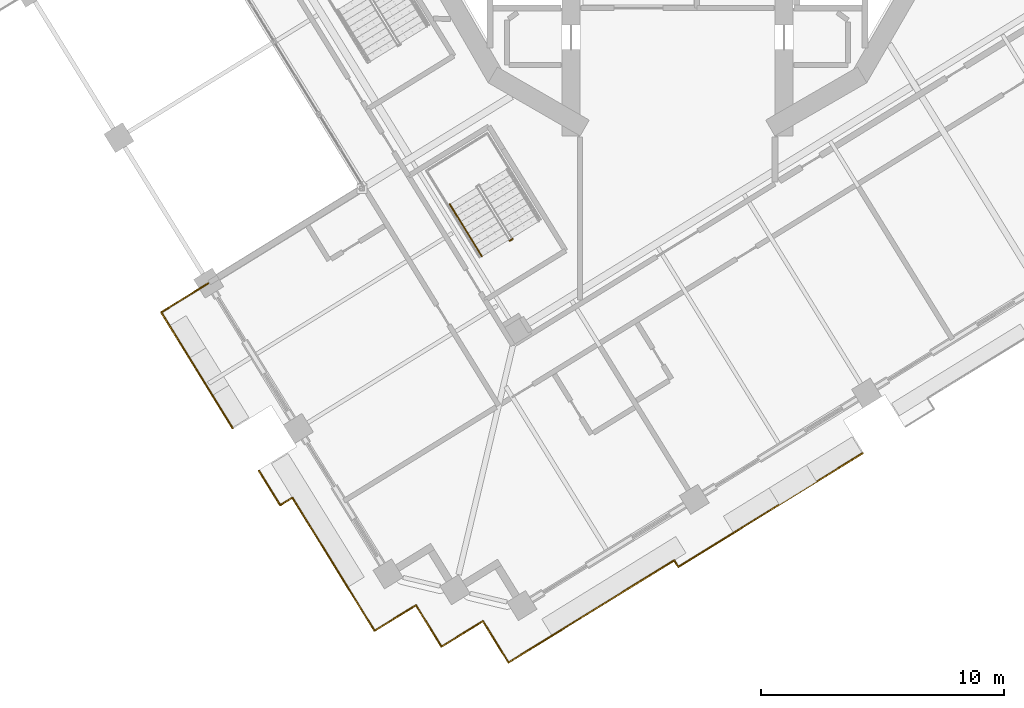
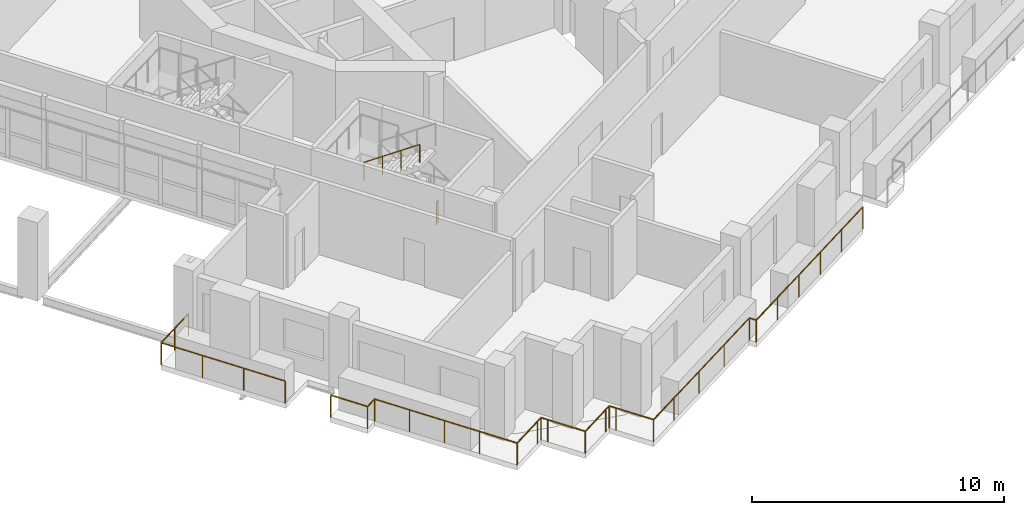
# One storey, part 13 of 20: 5 railings.
"""IFC4 building model written with IfcOpenShell, lengths in metres."""

from ifc_helpers import new_model, si_unit, direction, frame, origin, origin_2d, place, context, subcontext, project, spatial, circle, extrude, material, type_object, element, save


model = new_model("IFC4")

# Units and contexts
model_context = context("Model", 3, precision=1e-05, world=origin(), true_north=direction((0.0, 1.0)))
body_context = subcontext(model_context, "Body", "Model", "MODEL_VIEW")
ifc_project = project(units=[si_unit("LENGTHUNIT", "METRE"), si_unit("AREAUNIT", "SQUARE_METRE"), si_unit("VOLUMEUNIT", "CUBIC_METRE"), si_unit("PLANEANGLEUNIT", "RADIAN"), si_unit("MASSUNIT", "GRAM", prefix="KILO")], contexts=[model_context])

# Site, building, storey
site_placement = place(None, origin())
site = spatial("IfcSite", under=ifc_project, at=site_placement, CompositionType="ELEMENT")
building_placement = place(site_placement, origin())
building = spatial("IfcBuilding", under=site, at=building_placement, Name="Cantera Rosa Tower", CompositionType="ELEMENT")
storey_placement = place(building_placement, frame((0.0, 0.0, 155.199951171875)))
storey = spatial("IfcBuildingStorey", under=building, at=storey_placement, Name="L33", CompositionType="ELEMENT", Elevation=155.199951171875)

# Railings
ifc_material_1 = material(Name="Stainless steel and laminated glass", Category="steel")
railing_type_1 = type_object("IfcRailingType", Name="GUARD 1100", PredefinedType="BALUSTRADE", material=ifc_material_1)
railing_1_placement = place(storey_placement, frame((-12.44873046875, -30.2958984375, 0.0)))
element("IfcRailing", 1, at=railing_1_placement, inside=storey, type_object=railing_type_1, Name="GUARD L33-1", PredefinedType="BALUSTRADE", context=body_context, shape_type="SweptSolid", body=[
    extrude(circle(Radius=0.030029296875, at=origin_2d()), frame((0.0, 0.0, 1.070068359375), z_axis=(-0.524994468487, 0.851105638601, 0.0), x_axis=(-0.851105638601, -0.524994468487, 0.0)), (0.0, 0.0, 1.0), 1.7001953125),
    extrude(circle(Radius=0.030029296875, at=origin_2d()), frame((-0.892578125, 1.447021484375, 1.070068359375), z_axis=(-0.525004673435, 0.851099343715, 0.0), x_axis=(-0.851099343715, -0.525004673435, 0.0)), (0.0, 0.0, 1.0), 4.72802734375),
    extrude(circle(Radius=0.030029296875, at=origin_2d()), frame((-3.374755859375, 5.470947265625, 1.070068359375), z_axis=(-0.851204663561, -0.524833898231, 0.0), x_axis=(0.524833898231, -0.851204663561, 0.0)), (0.0, 0.0, 1.0), 0.591796875),
    extrude(circle(Radius=0.030029296875, at=origin_2d()), frame((-3.87841796875, 5.160400390625, 1.070068359375), z_axis=(-0.525064312401, 0.85106255225, 0.0), x_axis=(-0.85106255225, -0.525064312401, 0.0)), (0.0, 0.0, 1.0), 1.661865234375),
    extrude(circle(Radius=0.02490234375, at=origin_2d()), origin(), (0.0, 0.0, 1.0), 1.0400390625),
    extrude(circle(Radius=0.02490234375, at=origin_2d()), frame((-0.892578125, 1.447021484375, 0.0)), (0.0, 0.0, 1.0), 1.0400390625),
    extrude(circle(Radius=0.02490234375, at=origin_2d()), frame((-1.719970703125, 2.788330078125, 0.0)), (0.0, 0.0, 1.0), 1.0400390625),
    extrude(circle(Radius=0.02490234375, at=origin_2d()), frame((-2.54736328125, 4.129638671875, 0.0)), (0.0, 0.0, 1.0), 1.0400390625),
    extrude(circle(Radius=0.02490234375, at=origin_2d()), frame((-3.374755859375, 5.470947265625, 0.0)), (0.0, 0.0, 1.0), 1.0400390625),
    extrude(circle(Radius=0.02490234375, at=origin_2d()), frame((-3.87841796875, 5.160400390625, 0.0)), (0.0, 0.0, 1.0), 1.0400390625),
    extrude(circle(Radius=0.02490234375, at=origin_2d()), frame((-4.7509765625, 6.57470703125, 0.0)), (0.0, 0.0, 1.0), 1.0400390625),
])
railing_2_placement = place(storey_placement, frame((7.6162109375, -22.99560546875, 0.0)))
element("IfcRailing", 2, at=railing_2_placement, inside=storey, type_object=railing_type_1, Name="GUARD L33-2", PredefinedType="BALUSTRADE", context=body_context, shape_type="SweptSolid", body=[
    extrude(circle(Radius=0.030029296875, at=origin_2d()), frame((0.0, 0.0, 1.070068359375), z_axis=(-0.851115983017, -0.524977698053, 0.0), x_axis=(0.524977698053, -0.851115983017, 0.0)), (0.0, 0.0, 1.0), 8.910400390625),
    extrude(circle(Radius=0.030029296875, at=origin_2d()), frame((-7.583740234375, -4.677734375, 1.070068359375), z_axis=(-0.525330545402, 0.850898241899, 0.0), x_axis=(-0.850898241899, -0.525330545402, 0.0)), (0.0, 0.0, 1.0), 0.3203125),
    extrude(circle(Radius=0.030029296875, at=origin_2d()), frame((-7.751953125, -4.4052734375, 1.070068359375), z_axis=(-0.851122963342, -0.524966381087, 0.0), x_axis=(0.524966381087, -0.851122963342, 0.0)), (0.0, 0.0, 1.0), 6.2998046875),
    extrude(circle(Radius=0.030029296875, at=origin_2d()), frame((-13.11376953125, -7.71240234375, 1.070068359375), z_axis=(-0.851130227454, -0.524954603669, 0.0), x_axis=(0.524954603669, -0.851130227454, 0.0)), (0.0, 0.0, 1.0), 1.699951171875),
    extrude(circle(Radius=0.030029296875, at=origin_2d()), frame((-14.560546875, -8.604736328125, 1.070068359375), z_axis=(-0.525058638144, 0.851066052965, 0.0), x_axis=(-0.851066052965, -0.525058638144, 0.0)), (0.0, 0.0, 1.0), 1.699951171875),
    extrude(circle(Radius=0.030029296875, at=origin_2d()), frame((-15.453125, -7.157958984375, 1.070068359375), z_axis=(-0.524869051004, 0.85118298814, 0.0), x_axis=(-0.85118298814, -0.524869051004, 0.0)), (0.0, 0.0, 1.0), 0.300048828125),
    extrude(circle(Radius=0.030029296875, at=origin_2d()), frame((-15.610595703125, -6.902587890625, 1.070068359375), z_axis=(-0.85118298814, -0.524869051004, 0.0), x_axis=(0.524869051004, -0.85118298814, 0.0)), (0.0, 0.0, 1.0), 0.300048828125),
    extrude(circle(Radius=0.030029296875, at=origin_2d()), frame((-15.865966796875, -7.06005859375, 1.070068359375), z_axis=(-0.851066052965, -0.525058638144, 0.0), x_axis=(0.525058638144, -0.851066052965, 0.0)), (0.0, 0.0, 1.0), 1.699951171875),
    extrude(circle(Radius=0.030029296875, at=origin_2d()), frame((-17.312744140625, -7.95263671875, 1.070068359375), z_axis=(-0.524994468487, 0.851105638601, 0.0), x_axis=(-0.851105638601, -0.524994468487, 0.0)), (0.0, 0.0, 1.0), 1.7001953125),
    extrude(circle(Radius=0.030029296875, at=origin_2d()), frame((-18.205322265625, -6.505615234375, 1.070068359375), z_axis=(-0.524869051004, 0.85118298814, 0.0), x_axis=(-0.85118298814, -0.524869051004, 0.0)), (0.0, 0.0, 1.0), 0.300048828125),
    extrude(circle(Radius=0.030029296875, at=origin_2d()), frame((-18.36279296875, -6.250244140625, 1.070068359375), z_axis=(-0.85118298814, -0.524869051004, 0.0), x_axis=(0.524869051004, -0.85118298814, 0.0)), (0.0, 0.0, 1.0), 0.300048828125),
    extrude(circle(Radius=0.030029296875, at=origin_2d()), frame((-18.6181640625, -6.40771484375, 1.070068359375), z_axis=(-0.851066052965, -0.525058638144, 0.0), x_axis=(0.525058638144, -0.851066052965, 0.0)), (0.0, 0.0, 1.0), 1.699951171875),
    extrude(circle(Radius=0.02490234375, at=origin_2d()), origin(), (0.0, 0.0, 1.0), 1.0400390625),
    extrude(circle(Radius=0.02490234375, at=origin_2d()), frame((-1.516845703125, -0.935546875, 0.0)), (0.0, 0.0, 1.0), 1.0400390625),
    extrude(circle(Radius=0.02490234375, at=origin_2d()), frame((-3.033447265625, -1.87109375, 0.0)), (0.0, 0.0, 1.0), 1.0400390625),
    extrude(circle(Radius=0.02490234375, at=origin_2d()), frame((-4.55029296875, -2.806640625, 0.0)), (0.0, 0.0, 1.0), 1.0400390625),
    extrude(circle(Radius=0.02490234375, at=origin_2d()), frame((-6.06689453125, -3.7421875, 0.0)), (0.0, 0.0, 1.0), 1.0400390625),
    extrude(circle(Radius=0.02490234375, at=origin_2d()), frame((-7.583740234375, -4.677734375, 0.0)), (0.0, 0.0, 1.0), 1.0400390625),
    extrude(circle(Radius=0.02490234375, at=origin_2d()), frame((-7.751953125, -4.4052734375, 0.0)), (0.0, 0.0, 1.0), 1.0400390625),
    extrude(circle(Radius=0.02490234375, at=origin_2d()), frame((-9.539306640625, -5.507568359375, 0.0)), (0.0, 0.0, 1.0), 1.0400390625),
    extrude(circle(Radius=0.02490234375, at=origin_2d()), frame((-11.326416015625, -6.610107421875, 0.0)), (0.0, 0.0, 1.0), 1.0400390625),
    extrude(circle(Radius=0.02490234375, at=origin_2d()), frame((-13.11376953125, -7.71240234375, 0.0)), (0.0, 0.0, 1.0), 1.0400390625),
    extrude(circle(Radius=0.02490234375, at=origin_2d()), frame((-14.560546875, -8.604736328125, 0.0)), (0.0, 0.0, 1.0), 1.0400390625),
    extrude(circle(Radius=0.02490234375, at=origin_2d()), frame((-15.453125, -7.157958984375, 0.0)), (0.0, 0.0, 1.0), 1.0400390625),
    extrude(circle(Radius=0.02490234375, at=origin_2d()), frame((-15.610595703125, -6.902587890625, 0.0)), (0.0, 0.0, 1.0), 1.0400390625),
    extrude(circle(Radius=0.02490234375, at=origin_2d()), frame((-15.865966796875, -7.06005859375, 0.0)), (0.0, 0.0, 1.0), 1.0400390625),
    extrude(circle(Radius=0.02490234375, at=origin_2d()), frame((-17.312744140625, -7.95263671875, 0.0)), (0.0, 0.0, 1.0), 1.0400390625),
    extrude(circle(Radius=0.02490234375, at=origin_2d()), frame((-18.205322265625, -6.505615234375, 0.0)), (0.0, 0.0, 1.0), 1.0400390625),
    extrude(circle(Radius=0.02490234375, at=origin_2d()), frame((-18.36279296875, -6.250244140625, 0.0)), (0.0, 0.0, 1.0), 1.0400390625),
    extrude(circle(Radius=0.02490234375, at=origin_2d()), frame((-18.6181640625, -6.40771484375, 0.0)), (0.0, 0.0, 1.0), 1.0400390625),
    extrude(circle(Radius=0.02490234375, at=origin_2d()), frame((-20.06494140625, -7.30029296875, 0.0)), (0.0, 0.0, 1.0), 1.0400390625),
])
railing_3_placement = place(storey_placement, frame((-18.281005859375, -21.9677734375, 0.0)))
element("IfcRailing", 3, at=railing_3_placement, inside=storey, type_object=railing_type_1, Name="GUARD L33-3", PredefinedType="BALUSTRADE", context=body_context, shape_type="SweptSolid", body=[
    extrude(circle(Radius=0.030029296875, at=origin_2d()), frame((0.0, 0.0, 1.070068359375), z_axis=(-0.524996277939, 0.851104522459, 0.0), x_axis=(-0.851104522459, -0.524996277939, 0.0)), (0.0, 0.0, 1.0), 5.590087890625),
    extrude(circle(Radius=0.030029296875, at=origin_2d()), frame((-2.934814453125, 4.7578125, 1.070068359375), z_axis=(0.851152466231, 0.524918545327, 0.0), x_axis=(-0.524918545327, 0.851152466231, 0.0)), (0.0, 0.0, 1.0), 2.27197265625),
    extrude(circle(Radius=0.02490234375, at=origin_2d()), origin(), (0.0, 0.0, 1.0), 1.0400390625),
    extrude(circle(Radius=0.02490234375, at=origin_2d()), frame((-0.978271484375, 1.5859375, 0.0)), (0.0, 0.0, 1.0), 1.0400390625),
    extrude(circle(Radius=0.02490234375, at=origin_2d()), frame((-1.95654296875, 3.171875, 0.0)), (0.0, 0.0, 1.0), 1.0400390625),
    extrude(circle(Radius=0.02490234375, at=origin_2d()), frame((-2.934814453125, 4.7578125, 0.0)), (0.0, 0.0, 1.0), 1.0400390625),
    extrude(circle(Radius=0.02490234375, at=origin_2d()), frame((-1.9677734375, 5.35400390625, 0.0)), (0.0, 0.0, 1.0), 1.0400390625),
    extrude(circle(Radius=0.02490234375, at=origin_2d()), frame((-1.0009765625, 5.950439453125, 0.0)), (0.0, 0.0, 1.0), 1.0400390625),
])
ifc_material_2 = material(Name="Steel S355J2 (EN 10025-2)", Category="steel")
railing_type_2 = type_object("IfcRailingType", Name="STAIR GUARD 1100", PredefinedType="GUARDRAIL", material=ifc_material_2)
railing_4_placement = place(storey_placement, frame((-6.77490234375, -14.19482421875, 0.0)))
element("IfcRailing", 4, at=railing_4_placement, inside=storey, type_object=railing_type_2, Name="L33 ST-33 stair guard 3", PredefinedType="GUARDRAIL", context=body_context, shape_type="SweptSolid", body=[
    extrude(circle(Radius=0.02392578125, at=origin_2d()), frame((0.0, 0.0, 1.076171875), z_axis=(-0.851546489876, -0.524279100842, 0.0), x_axis=(0.524279100842, -0.851546489876, 0.0)), (0.0, 0.0, 1.0), 0.14990234375),
    extrude(circle(Radius=0.02099609375, at=origin_2d()), origin(), (0.0, 0.0, 1.0), 1.052001953125),
    extrude(circle(Radius=0.02099609375, at=origin_2d()), frame((-0.127685546875, -0.07861328125, 0.0)), (0.0, 0.0, 1.0), 1.052001953125),
])
ifc_material_3 = material(Name="Steel S355J2 (EN 10025-2)", Category="steel")
railing_type_3 = type_object("IfcRailingType", Name="STAIR HANDRAIL 900", PredefinedType="HANDRAIL", material=ifc_material_3)
railing_5_placement = place(storey_placement, frame((-9.358154296875, -12.7685546875, 2.090087890625)))
element("IfcRailing", 5, at=railing_5_placement, inside=storey, type_object=railing_type_3, Name="L33 ST-33 stair handrail 2", PredefinedType="HANDRAIL", context=body_context, shape_type="SweptSolid", body=[
    extrude(circle(Radius=0.02392578125, at=origin_2d()), frame((0.0, 0.0, 0.8759765625), z_axis=(0.434362572038, -0.70429590169, 0.561512634654), x_axis=(0.851145618652, 0.524929648476, 0.0)), (0.0, 0.0, 1.0), 3.045166015625),
    extrude(circle(Radius=0.02099609375, at=origin_2d()), origin(), (0.0, 0.0, 1.0), 0.851806640625),
    extrude(circle(Radius=0.02099609375, at=origin_2d()), frame((0.44091796875, -0.71484375, 0.570068359375)), (0.0, 0.0, 1.0), 0.851806640625),
    extrude(circle(Radius=0.02099609375, at=origin_2d()), frame((0.8818359375, -1.429931640625, 1.139892578125)), (0.0, 0.0, 1.0), 0.851806640625),
    extrude(circle(Radius=0.02099609375, at=origin_2d()), frame((1.32275390625, -2.144775390625, 1.7099609375)), (0.0, 0.0, 1.0), 0.851806640625),
])

save(model, "model.ifc")
